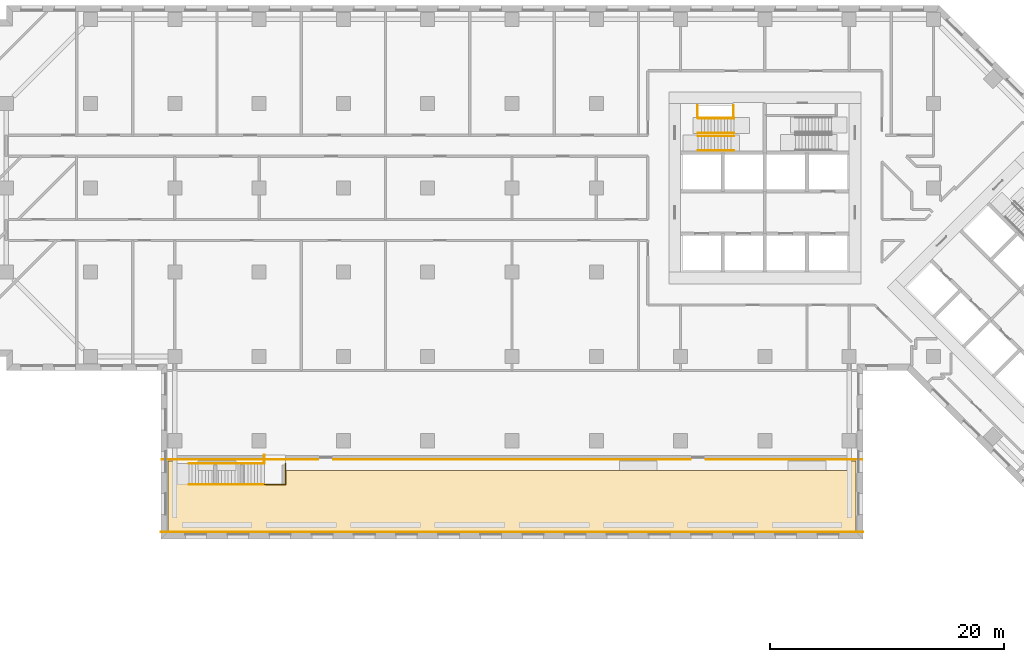
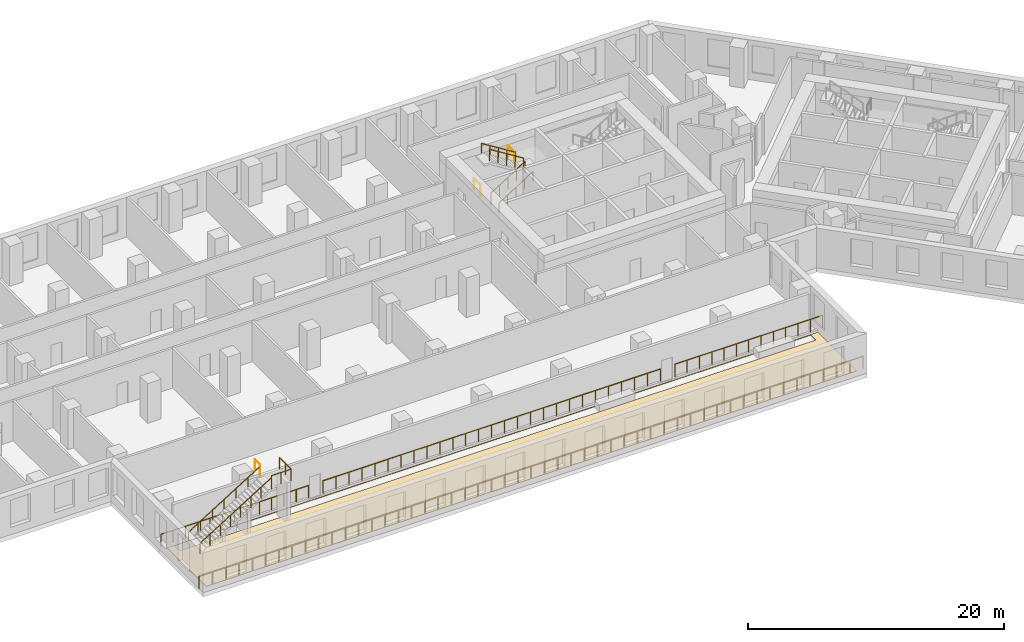
# One storey, part 11 of 13: 14 railings, 1 covering.
"""IFC4 building model written with IfcOpenShell, lengths in metres."""

from ifc_helpers import new_model, si_unit, direction, frame, origin, origin_2d, place, context, subcontext, project, spatial, polyline, circle, outline, extrude, material, layer, layer_set, type_object, element, save


model = new_model("IFC4")

# Units and contexts
model_context = context("Model", 3, precision=1e-05, world=origin(), true_north=direction((0.0, 1.0)))
body_context = subcontext(model_context, "Body", "Model", "MODEL_VIEW")
ifc_project = project(units=[si_unit("LENGTHUNIT", "METRE"), si_unit("AREAUNIT", "SQUARE_METRE"), si_unit("VOLUMEUNIT", "CUBIC_METRE"), si_unit("PLANEANGLEUNIT", "RADIAN"), si_unit("MASSUNIT", "GRAM", prefix="KILO")], contexts=[model_context])

# Site, building, storey
site_placement = place(None, origin())
site = spatial("IfcSite", under=ifc_project, at=site_placement, CompositionType="ELEMENT")
building_placement = place(site_placement, origin())
building = spatial("IfcBuilding", under=site, at=building_placement, Name="Windrow Commons", CompositionType="ELEMENT")
storey_placement = place(building_placement, frame((0.0, 0.0, 14.4)))
storey = spatial("IfcBuildingStorey", under=building, at=storey_placement, Name="L03", CompositionType="ELEMENT", Elevation=14.4)

# Railings
ifc_material_1 = material(Name="Steel S355", Category="steel")
railing_type_1 = type_object("IfcRailingType", Name="Core stair guard 1100", PredefinedType="GUARDRAIL", material=ifc_material_1)
railing_1_placement = place(storey_placement, frame((59.1, 62.05, 0.175)))
element("IfcRailing", 1, at=railing_1_placement, inside=storey, type_object=railing_type_1, Name="L03 ST-A1 stair guard 1", PredefinedType="GUARDRAIL", context=body_context, shape_type="SweptSolid", body=[
    extrude(circle(Radius=0.024, at=origin_2d()), frame((0.0, 0.0, 1.076), z_axis=(0.847998304, 0.0, 0.52999894), x_axis=(0.0, 1.0, 0.0)), (0.0, 0.0, 1.0), 3.6321),
    extrude(circle(Radius=0.021, at=origin_2d()), origin(), (0.0, 0.0, 1.0), 1.052),
    extrude(circle(Radius=0.021, at=origin_2d()), frame((0.77, 0.0, 0.4813)), (0.0, 0.0, 1.0), 1.052),
    extrude(circle(Radius=0.021, at=origin_2d()), frame((1.54, 0.0, 0.9625)), (0.0, 0.0, 1.0), 1.052),
    extrude(circle(Radius=0.021, at=origin_2d()), frame((2.31, 0.0, 1.4438)), (0.0, 0.0, 1.0), 1.052),
    extrude(circle(Radius=0.021, at=origin_2d()), frame((3.08, 0.0, 1.925)), (0.0, 0.0, 1.0), 1.052),
])
railing_2_placement = place(storey_placement, frame((62.18, 62.3, 2.275)))
element("IfcRailing", 2, at=railing_2_placement, inside=storey, type_object=railing_type_1, Name="L03 ST-A1 stair guard 2", PredefinedType="GUARDRAIL", context=body_context, shape_type="SweptSolid", body=[
    extrude(circle(Radius=0.024, at=origin_2d()), frame((0.0, 0.0, 1.076), z_axis=(-0.847998304, 0.0, 0.52999894), x_axis=(0.0, -1.0, 0.0)), (0.0, 0.0, 1.0), 3.6321),
    extrude(circle(Radius=0.021, at=origin_2d()), origin(), (0.0, 0.0, 1.0), 1.052),
    extrude(circle(Radius=0.021, at=origin_2d()), frame((-0.77, 0.0, 0.4813)), (0.0, 0.0, 1.0), 1.052),
    extrude(circle(Radius=0.021, at=origin_2d()), frame((-1.54, 0.0, 0.9625)), (0.0, 0.0, 1.0), 1.052),
    extrude(circle(Radius=0.021, at=origin_2d()), frame((-2.31, 0.0, 1.4438)), (0.0, 0.0, 1.0), 1.052),
    extrude(circle(Radius=0.021, at=origin_2d()), frame((-3.08, 0.0, 1.925)), (0.0, 0.0, 1.0), 1.052),
])
for number, where, name in (
    (3, (59.05, 63.6, 0.0), "L03 ST-A1 stair guard 3"),
    (4, (62.11, 63.6, 2.1), "L03 ST-A1 stair guard 4"),
):
    element("IfcRailing", number, at=place(storey_placement, frame(where)), inside=storey, type_object=railing_type_1, Name=name, PredefinedType="GUARDRAIL", context=body_context, shape_type="SweptSolid", body=[
        extrude(circle(Radius=0.024, at=origin_2d()), frame((0.0, 0.0, 1.076), z_axis=(0.0, 1.0, 0.0), x_axis=(-1.0, 0.0, 0.0)), (0.0, 0.0, 1.0), 1.03),
        extrude(circle(Radius=0.021, at=origin_2d()), origin(), (0.0, 0.0, 1.0), 1.052),
        extrude(circle(Radius=0.021, at=origin_2d()), frame((0.0, 1.03, 0.0)), (0.0, 0.0, 1.0), 1.052),
    ])
ifc_material_2 = material(Name="Steel S355", Category="steel")
railing_type_2 = type_object("IfcRailingType", Name="Core stair handrail 900", PredefinedType="HANDRAIL", material=ifc_material_2)
railing_3_placement = place(storey_placement, frame((59.1, 60.8, 0.175)))
element("IfcRailing", 5, at=railing_3_placement, inside=storey, type_object=railing_type_2, Name="L03 ST-A1 stair handrail 1", PredefinedType="HANDRAIL", context=body_context, shape_type="SweptSolid", body=[
    extrude(circle(Radius=0.024, at=origin_2d()), frame((0.0, 0.0, 0.876), z_axis=(0.847998304, 0.0, 0.52999894), x_axis=(0.0, 1.0, 0.0)), (0.0, 0.0, 1.0), 3.6321),
    extrude(circle(Radius=0.021, at=origin_2d()), origin(), (0.0, 0.0, 1.0), 0.852),
    extrude(circle(Radius=0.021, at=origin_2d()), frame((0.77, 0.0, 0.4813)), (0.0, 0.0, 1.0), 0.852),
    extrude(circle(Radius=0.021, at=origin_2d()), frame((1.54, 0.0, 0.9625)), (0.0, 0.0, 1.0), 0.852),
    extrude(circle(Radius=0.021, at=origin_2d()), frame((2.31, 0.0, 1.4438)), (0.0, 0.0, 1.0), 0.852),
    extrude(circle(Radius=0.021, at=origin_2d()), frame((3.08, 0.0, 1.925)), (0.0, 0.0, 1.0), 0.852),
])
railing_4_placement = place(storey_placement, frame((62.18, 63.55, 2.275)))
element("IfcRailing", 6, at=railing_4_placement, inside=storey, type_object=railing_type_2, Name="L03 ST-A1 stair handrail 2", PredefinedType="HANDRAIL", context=body_context, shape_type="SweptSolid", body=[
    extrude(circle(Radius=0.024, at=origin_2d()), frame((0.0, 0.0, 0.876), z_axis=(-0.847998304, 0.0, 0.52999894), x_axis=(0.0, -1.0, 0.0)), (0.0, 0.0, 1.0), 3.6321),
    extrude(circle(Radius=0.021, at=origin_2d()), origin(), (0.0, 0.0, 1.0), 0.852),
    extrude(circle(Radius=0.021, at=origin_2d()), frame((-0.77, 0.0, 0.4813)), (0.0, 0.0, 1.0), 0.852),
    extrude(circle(Radius=0.021, at=origin_2d()), frame((-1.54, 0.0, 0.9625)), (0.0, 0.0, 1.0), 0.852),
    extrude(circle(Radius=0.021, at=origin_2d()), frame((-2.31, 0.0, 1.4438)), (0.0, 0.0, 1.0), 0.852),
    extrude(circle(Radius=0.021, at=origin_2d()), frame((-3.08, 0.0, 1.925)), (0.0, 0.0, 1.0), 0.852),
])
ifc_material_3 = material(Name="Stainless steel S316 balustrade with toughened glass infill", Category="steel")
railing_type_3 = type_object("IfcRailingType", Name="Terrace guard 1100", PredefinedType="BALUSTRADE", material=ifc_material_3)
railing_5_placement = place(storey_placement, frame((15.6, 32.25, 0.0)))
element("IfcRailing", 7, at=railing_5_placement, inside=storey, type_object=railing_type_3, Name="Public stair guard L03.1", PredefinedType="BALUSTRADE", context=body_context, shape_type="SweptSolid", body=[
    extrude(circle(Radius=0.025, at=origin_2d()), frame((0.0, 0.0, 1.075), z_axis=(0.847998304, 0.0, 0.52999894), x_axis=(0.0, 1.0, 0.0)), (0.0, 0.0, 1.0), 7.5944),
    extrude(circle(Radius=0.02, at=origin_2d()), origin(), (0.0, 0.0, 1.0), 1.05),
    extrude(circle(Radius=0.02, at=origin_2d()), frame((0.92, 0.0, 0.575)), (0.0, 0.0, 1.0), 1.05),
    extrude(circle(Radius=0.02, at=origin_2d()), frame((1.84, 0.0, 1.15)), (0.0, 0.0, 1.0), 1.05),
    extrude(circle(Radius=0.02, at=origin_2d()), frame((2.76, 0.0, 1.725)), (0.0, 0.0, 1.0), 1.05),
    extrude(circle(Radius=0.02, at=origin_2d()), frame((3.68, 0.0, 2.3)), (0.0, 0.0, 1.0), 1.05),
    extrude(circle(Radius=0.02, at=origin_2d()), frame((4.6, 0.0, 2.875)), (0.0, 0.0, 1.0), 1.05),
    extrude(circle(Radius=0.02, at=origin_2d()), frame((5.52, 0.0, 3.45)), (0.0, 0.0, 1.0), 1.05),
    extrude(circle(Radius=0.02, at=origin_2d()), frame((6.44, 0.0, 4.025)), (0.0, 0.0, 1.0), 1.05),
])
railing_6_placement = place(storey_placement, frame((22.04, 32.25, 4.2)))
element("IfcRailing", 8, at=railing_6_placement, inside=storey, type_object=railing_type_3, Name="Public stair guard L03.2", PredefinedType="BALUSTRADE", context=body_context, shape_type="SweptSolid", body=[
    extrude(circle(Radius=0.025, at=origin_2d()), frame((0.0, 0.0, 1.075), z_axis=(1.0, 0.0, 0.0), x_axis=(0.0, 1.0, 0.0)), (0.0, 0.0, 1.0), 1.8),
    extrude(circle(Radius=0.025, at=origin_2d()), frame((1.8, 0.0, 1.075), z_axis=(0.0, 1.0, 0.0), x_axis=(-1.0, 0.0, 0.0)), (0.0, 0.0, 1.0), 1.8),
    extrude(circle(Radius=0.02, at=origin_2d()), origin(), (0.0, 0.0, 1.0), 1.05),
    extrude(circle(Radius=0.02, at=origin_2d()), frame((0.9, 0.0, 0.0)), (0.0, 0.0, 1.0), 1.05),
    extrude(circle(Radius=0.02, at=origin_2d()), frame((1.8, 0.0, 0.0)), (0.0, 0.0, 1.0), 1.05),
    extrude(circle(Radius=0.02, at=origin_2d()), frame((1.8, 0.9, 0.0)), (0.0, 0.0, 1.0), 1.05),
    extrude(circle(Radius=0.02, at=origin_2d()), frame((1.8, 1.8, 0.0)), (0.0, 0.0, 1.0), 1.05),
])
railing_7_placement = place(storey_placement, frame((22.04, 34.05, 4.2)))
element("IfcRailing", 9, at=railing_7_placement, inside=storey, type_object=railing_type_3, Name="Public stair guard L03.3", PredefinedType="BALUSTRADE", context=body_context, shape_type="SweptSolid", body=[
    extrude(circle(Radius=0.025, at=origin_2d()), frame((0.0, 0.0, 1.075), z_axis=(0.0, 1.0, 0.0), x_axis=(-1.0, 0.0, 0.0)), (0.0, 0.0, 1.0), 0.75),
    extrude(circle(Radius=0.02, at=origin_2d()), origin(), (0.0, 0.0, 1.0), 1.05),
    extrude(circle(Radius=0.02, at=origin_2d()), frame((0.0, 0.75, 0.0)), (0.0, 0.0, 1.0), 1.05),
])
ifc_material_4 = material(Name="Stainless steel S316 balustrade with toughened glass infill", Category="steel")
railing_type_4 = type_object("IfcRailingType", Name="Terrace guard 1200 podium", PredefinedType="BALUSTRADE", material=ifc_material_4)
railing_8_placement = place(storey_placement, frame((13.2, 28.22, 0.05)))
element("IfcRailing", 10, at=railing_8_placement, inside=storey, type_object=railing_type_4, Name="Guard TR-L03-1.S4", PredefinedType="BALUSTRADE", context=body_context, shape_type="SweptSolid", body=[
    extrude(circle(Radius=0.025, at=origin_2d()), frame((0.0, 0.0, 1.175), z_axis=(1.0, 0.0, 0.0), x_axis=(0.0, 1.0, 0.0)), (0.0, 0.0, 1.0), 60.0),
    extrude(circle(Radius=0.02, at=origin_2d()), origin(), (0.0, 0.0, 1.0), 1.15),
    extrude(circle(Radius=0.02, at=origin_2d()), frame((1.2, 0.0, 0.0)), (0.0, 0.0, 1.0), 1.15),
    extrude(circle(Radius=0.02, at=origin_2d()), frame((2.4, 0.0, 0.0)), (0.0, 0.0, 1.0), 1.15),
    extrude(circle(Radius=0.02, at=origin_2d()), frame((3.6, 0.0, 0.0)), (0.0, 0.0, 1.0), 1.15),
    extrude(circle(Radius=0.02, at=origin_2d()), frame((4.8, 0.0, 0.0)), (0.0, 0.0, 1.0), 1.15),
    extrude(circle(Radius=0.02, at=origin_2d()), frame((6.0, 0.0, 0.0)), (0.0, 0.0, 1.0), 1.15),
    extrude(circle(Radius=0.02, at=origin_2d()), frame((7.2, 0.0, 0.0)), (0.0, 0.0, 1.0), 1.15),
    extrude(circle(Radius=0.02, at=origin_2d()), frame((8.4, 0.0, 0.0)), (0.0, 0.0, 1.0), 1.15),
    extrude(circle(Radius=0.02, at=origin_2d()), frame((9.6, 0.0, 0.0)), (0.0, 0.0, 1.0), 1.15),
    extrude(circle(Radius=0.02, at=origin_2d()), frame((10.8, 0.0, 0.0)), (0.0, 0.0, 1.0), 1.15),
    extrude(circle(Radius=0.02, at=origin_2d()), frame((12.0, 0.0, 0.0)), (0.0, 0.0, 1.0), 1.15),
    extrude(circle(Radius=0.02, at=origin_2d()), frame((13.2, 0.0, 0.0)), (0.0, 0.0, 1.0), 1.15),
    extrude(circle(Radius=0.02, at=origin_2d()), frame((14.4, 0.0, 0.0)), (0.0, 0.0, 1.0), 1.15),
    extrude(circle(Radius=0.02, at=origin_2d()), frame((15.6, 0.0, 0.0)), (0.0, 0.0, 1.0), 1.15),
    extrude(circle(Radius=0.02, at=origin_2d()), frame((16.8, 0.0, 0.0)), (0.0, 0.0, 1.0), 1.15),
    extrude(circle(Radius=0.02, at=origin_2d()), frame((18.0, 0.0, 0.0)), (0.0, 0.0, 1.0), 1.15),
    extrude(circle(Radius=0.02, at=origin_2d()), frame((19.2, 0.0, 0.0)), (0.0, 0.0, 1.0), 1.15),
    extrude(circle(Radius=0.02, at=origin_2d()), frame((20.4, 0.0, 0.0)), (0.0, 0.0, 1.0), 1.15),
    extrude(circle(Radius=0.02, at=origin_2d()), frame((21.6, 0.0, 0.0)), (0.0, 0.0, 1.0), 1.15),
    extrude(circle(Radius=0.02, at=origin_2d()), frame((22.8, 0.0, 0.0)), (0.0, 0.0, 1.0), 1.15),
    extrude(circle(Radius=0.02, at=origin_2d()), frame((24.0, 0.0, 0.0)), (0.0, 0.0, 1.0), 1.15),
    extrude(circle(Radius=0.02, at=origin_2d()), frame((25.2, 0.0, 0.0)), (0.0, 0.0, 1.0), 1.15),
    extrude(circle(Radius=0.02, at=origin_2d()), frame((26.4, 0.0, 0.0)), (0.0, 0.0, 1.0), 1.15),
    extrude(circle(Radius=0.02, at=origin_2d()), frame((27.6, 0.0, 0.0)), (0.0, 0.0, 1.0), 1.15),
    extrude(circle(Radius=0.02, at=origin_2d()), frame((28.8, 0.0, 0.0)), (0.0, 0.0, 1.0), 1.15),
    extrude(circle(Radius=0.02, at=origin_2d()), frame((30.0, 0.0, 0.0)), (0.0, 0.0, 1.0), 1.15),
    extrude(circle(Radius=0.02, at=origin_2d()), frame((31.2, 0.0, 0.0)), (0.0, 0.0, 1.0), 1.15),
    extrude(circle(Radius=0.02, at=origin_2d()), frame((32.4, 0.0, 0.0)), (0.0, 0.0, 1.0), 1.15),
    extrude(circle(Radius=0.02, at=origin_2d()), frame((33.6, 0.0, 0.0)), (0.0, 0.0, 1.0), 1.15),
    extrude(circle(Radius=0.02, at=origin_2d()), frame((34.8, 0.0, 0.0)), (0.0, 0.0, 1.0), 1.15),
    extrude(circle(Radius=0.02, at=origin_2d()), frame((36.0, 0.0, 0.0)), (0.0, 0.0, 1.0), 1.15),
    extrude(circle(Radius=0.02, at=origin_2d()), frame((37.2, 0.0, 0.0)), (0.0, 0.0, 1.0), 1.15),
    extrude(circle(Radius=0.02, at=origin_2d()), frame((38.4, 0.0, 0.0)), (0.0, 0.0, 1.0), 1.15),
    extrude(circle(Radius=0.02, at=origin_2d()), frame((39.6, 0.0, 0.0)), (0.0, 0.0, 1.0), 1.15),
    extrude(circle(Radius=0.02, at=origin_2d()), frame((40.8, 0.0, 0.0)), (0.0, 0.0, 1.0), 1.15),
    extrude(circle(Radius=0.02, at=origin_2d()), frame((42.0, 0.0, 0.0)), (0.0, 0.0, 1.0), 1.15),
    extrude(circle(Radius=0.02, at=origin_2d()), frame((43.2, 0.0, 0.0)), (0.0, 0.0, 1.0), 1.15),
    extrude(circle(Radius=0.02, at=origin_2d()), frame((44.4, 0.0, 0.0)), (0.0, 0.0, 1.0), 1.15),
    extrude(circle(Radius=0.02, at=origin_2d()), frame((45.6, 0.0, 0.0)), (0.0, 0.0, 1.0), 1.15),
    extrude(circle(Radius=0.02, at=origin_2d()), frame((46.8, 0.0, 0.0)), (0.0, 0.0, 1.0), 1.15),
    extrude(circle(Radius=0.02, at=origin_2d()), frame((48.0, 0.0, 0.0)), (0.0, 0.0, 1.0), 1.15),
    extrude(circle(Radius=0.02, at=origin_2d()), frame((49.2, 0.0, 0.0)), (0.0, 0.0, 1.0), 1.15),
    extrude(circle(Radius=0.02, at=origin_2d()), frame((50.4, 0.0, 0.0)), (0.0, 0.0, 1.0), 1.15),
    extrude(circle(Radius=0.02, at=origin_2d()), frame((51.6, 0.0, 0.0)), (0.0, 0.0, 1.0), 1.15),
    extrude(circle(Radius=0.02, at=origin_2d()), frame((52.8, 0.0, 0.0)), (0.0, 0.0, 1.0), 1.15),
    extrude(circle(Radius=0.02, at=origin_2d()), frame((54.0, 0.0, 0.0)), (0.0, 0.0, 1.0), 1.15),
    extrude(circle(Radius=0.02, at=origin_2d()), frame((55.2, 0.0, 0.0)), (0.0, 0.0, 1.0), 1.15),
    extrude(circle(Radius=0.02, at=origin_2d()), frame((56.4, 0.0, 0.0)), (0.0, 0.0, 1.0), 1.15),
    extrude(circle(Radius=0.02, at=origin_2d()), frame((57.6, 0.0, 0.0)), (0.0, 0.0, 1.0), 1.15),
    extrude(circle(Radius=0.02, at=origin_2d()), frame((58.8, 0.0, 0.0)), (0.0, 0.0, 1.0), 1.15),
    extrude(circle(Radius=0.02, at=origin_2d()), frame((60.0, 0.0, 0.0)), (0.0, 0.0, 1.0), 1.15),
])
railing_9_placement = place(storey_placement, frame((73.1, 34.4, 0.25)))
element("IfcRailing", 11, at=railing_9_placement, inside=storey, type_object=railing_type_4, Name="Guard TR-L03-1.1", PredefinedType="BALUSTRADE", context=body_context, shape_type="SweptSolid", body=[
    extrude(circle(Radius=0.025, at=origin_2d()), frame((0.0, 0.0, 1.175), z_axis=(-1.0, 0.0, 0.0), x_axis=(0.0, -1.0, 0.0)), (0.0, 0.0, 1.0), 13.35),
    extrude(circle(Radius=0.02, at=origin_2d()), origin(), (0.0, 0.0, 1.0), 1.15),
    extrude(circle(Radius=0.02, at=origin_2d()), frame((-1.1125, 0.0, 0.0)), (0.0, 0.0, 1.0), 1.15),
    extrude(circle(Radius=0.02, at=origin_2d()), frame((-2.225, 0.0, 0.0)), (0.0, 0.0, 1.0), 1.15),
    extrude(circle(Radius=0.02, at=origin_2d()), frame((-3.3375, 0.0, 0.0)), (0.0, 0.0, 1.0), 1.15),
    extrude(circle(Radius=0.02, at=origin_2d()), frame((-4.45, 0.0, 0.0)), (0.0, 0.0, 1.0), 1.15),
    extrude(circle(Radius=0.02, at=origin_2d()), frame((-5.5625, 0.0, 0.0)), (0.0, 0.0, 1.0), 1.15),
    extrude(circle(Radius=0.02, at=origin_2d()), frame((-6.675, 0.0, 0.0)), (0.0, 0.0, 1.0), 1.15),
    extrude(circle(Radius=0.02, at=origin_2d()), frame((-7.7875, 0.0, 0.0)), (0.0, 0.0, 1.0), 1.15),
    extrude(circle(Radius=0.02, at=origin_2d()), frame((-8.9, 0.0, 0.0)), (0.0, 0.0, 1.0), 1.15),
    extrude(circle(Radius=0.02, at=origin_2d()), frame((-10.0125, 0.0, 0.0)), (0.0, 0.0, 1.0), 1.15),
    extrude(circle(Radius=0.02, at=origin_2d()), frame((-11.125, 0.0, 0.0)), (0.0, 0.0, 1.0), 1.15),
    extrude(circle(Radius=0.02, at=origin_2d()), frame((-12.2375, 0.0, 0.0)), (0.0, 0.0, 1.0), 1.15),
    extrude(circle(Radius=0.02, at=origin_2d()), frame((-13.35, 0.0, 0.0)), (0.0, 0.0, 1.0), 1.15),
])
railing_10_placement = place(storey_placement, frame((58.45, 34.4, 0.25)))
element("IfcRailing", 12, at=railing_10_placement, inside=storey, type_object=railing_type_4, Name="Guard TR-L03-1.1", PredefinedType="BALUSTRADE", context=body_context, shape_type="SweptSolid", body=[
    extrude(circle(Radius=0.025, at=origin_2d()), frame((0.0, 0.0, 1.175), z_axis=(-1.0, 0.0, 0.0), x_axis=(0.0, -1.0, 0.0)), (0.0, 0.0, 1.0), 30.5),
    extrude(circle(Radius=0.02, at=origin_2d()), origin(), (0.0, 0.0, 1.0), 1.15),
    extrude(circle(Radius=0.02, at=origin_2d()), frame((-1.1731, 0.0, 0.0)), (0.0, 0.0, 1.0), 1.15),
    extrude(circle(Radius=0.02, at=origin_2d()), frame((-2.3462, 0.0, 0.0)), (0.0, 0.0, 1.0), 1.15),
    extrude(circle(Radius=0.02, at=origin_2d()), frame((-3.5192, 0.0, 0.0)), (0.0, 0.0, 1.0), 1.15),
    extrude(circle(Radius=0.02, at=origin_2d()), frame((-4.6923, 0.0, 0.0)), (0.0, 0.0, 1.0), 1.15),
    extrude(circle(Radius=0.02, at=origin_2d()), frame((-5.8654, 0.0, 0.0)), (0.0, 0.0, 1.0), 1.15),
    extrude(circle(Radius=0.02, at=origin_2d()), frame((-7.0385, 0.0, 0.0)), (0.0, 0.0, 1.0), 1.15),
    extrude(circle(Radius=0.02, at=origin_2d()), frame((-8.2115, 0.0, 0.0)), (0.0, 0.0, 1.0), 1.15),
    extrude(circle(Radius=0.02, at=origin_2d()), frame((-9.3846, 0.0, 0.0)), (0.0, 0.0, 1.0), 1.15),
    extrude(circle(Radius=0.02, at=origin_2d()), frame((-10.5577, 0.0, 0.0)), (0.0, 0.0, 1.0), 1.15),
    extrude(circle(Radius=0.02, at=origin_2d()), frame((-11.7308, 0.0, 0.0)), (0.0, 0.0, 1.0), 1.15),
    extrude(circle(Radius=0.02, at=origin_2d()), frame((-12.9038, 0.0, 0.0)), (0.0, 0.0, 1.0), 1.15),
    extrude(circle(Radius=0.02, at=origin_2d()), frame((-14.0769, 0.0, 0.0)), (0.0, 0.0, 1.0), 1.15),
    extrude(circle(Radius=0.02, at=origin_2d()), frame((-15.25, 0.0, 0.0)), (0.0, 0.0, 1.0), 1.15),
    extrude(circle(Radius=0.02, at=origin_2d()), frame((-16.4231, 0.0, 0.0)), (0.0, 0.0, 1.0), 1.15),
    extrude(circle(Radius=0.02, at=origin_2d()), frame((-17.5962, 0.0, 0.0)), (0.0, 0.0, 1.0), 1.15),
    extrude(circle(Radius=0.02, at=origin_2d()), frame((-18.7692, 0.0, 0.0)), (0.0, 0.0, 1.0), 1.15),
    extrude(circle(Radius=0.02, at=origin_2d()), frame((-19.9423, 0.0, 0.0)), (0.0, 0.0, 1.0), 1.15),
    extrude(circle(Radius=0.02, at=origin_2d()), frame((-21.1154, 0.0, 0.0)), (0.0, 0.0, 1.0), 1.15),
    extrude(circle(Radius=0.02, at=origin_2d()), frame((-22.2885, 0.0, 0.0)), (0.0, 0.0, 1.0), 1.15),
    extrude(circle(Radius=0.02, at=origin_2d()), frame((-23.4615, 0.0, 0.0)), (0.0, 0.0, 1.0), 1.15),
    extrude(circle(Radius=0.02, at=origin_2d()), frame((-24.6346, 0.0, 0.0)), (0.0, 0.0, 1.0), 1.15),
    extrude(circle(Radius=0.02, at=origin_2d()), frame((-25.8077, 0.0, 0.0)), (0.0, 0.0, 1.0), 1.15),
    extrude(circle(Radius=0.02, at=origin_2d()), frame((-26.9808, 0.0, 0.0)), (0.0, 0.0, 1.0), 1.15),
    extrude(circle(Radius=0.02, at=origin_2d()), frame((-28.1538, 0.0, 0.0)), (0.0, 0.0, 1.0), 1.15),
    extrude(circle(Radius=0.02, at=origin_2d()), frame((-29.3269, 0.0, 0.0)), (0.0, 0.0, 1.0), 1.15),
    extrude(circle(Radius=0.02, at=origin_2d()), frame((-30.5, 0.0, 0.0)), (0.0, 0.0, 1.0), 1.15),
])
railing_11_placement = place(storey_placement, frame((26.65, 34.4, 0.25)))
element("IfcRailing", 13, at=railing_11_placement, inside=storey, type_object=railing_type_4, Name="Guard TR-L03-1.1", PredefinedType="BALUSTRADE", context=body_context, shape_type="SweptSolid", body=[
    extrude(circle(Radius=0.025, at=origin_2d()), frame((0.0, 0.0, 1.175), z_axis=(-1.0, 0.0, 0.0), x_axis=(0.0, -1.0, 0.0)), (0.0, 0.0, 1.0), 13.35),
    extrude(circle(Radius=0.02, at=origin_2d()), origin(), (0.0, 0.0, 1.0), 1.15),
    extrude(circle(Radius=0.02, at=origin_2d()), frame((-1.1125, 0.0, 0.0)), (0.0, 0.0, 1.0), 1.15),
    extrude(circle(Radius=0.02, at=origin_2d()), frame((-2.225, 0.0, 0.0)), (0.0, 0.0, 1.0), 1.15),
    extrude(circle(Radius=0.02, at=origin_2d()), frame((-3.3375, 0.0, 0.0)), (0.0, 0.0, 1.0), 1.15),
    extrude(circle(Radius=0.02, at=origin_2d()), frame((-4.45, 0.0, 0.0)), (0.0, 0.0, 1.0), 1.15),
    extrude(circle(Radius=0.02, at=origin_2d()), frame((-5.5625, 0.0, 0.0)), (0.0, 0.0, 1.0), 1.15),
    extrude(circle(Radius=0.02, at=origin_2d()), frame((-6.675, 0.0, 0.0)), (0.0, 0.0, 1.0), 1.15),
    extrude(circle(Radius=0.02, at=origin_2d()), frame((-7.7875, 0.0, 0.0)), (0.0, 0.0, 1.0), 1.15),
    extrude(circle(Radius=0.02, at=origin_2d()), frame((-8.9, 0.0, 0.0)), (0.0, 0.0, 1.0), 1.15),
    extrude(circle(Radius=0.02, at=origin_2d()), frame((-10.0125, 0.0, 0.0)), (0.0, 0.0, 1.0), 1.15),
    extrude(circle(Radius=0.02, at=origin_2d()), frame((-11.125, 0.0, 0.0)), (0.0, 0.0, 1.0), 1.15),
    extrude(circle(Radius=0.02, at=origin_2d()), frame((-12.2375, 0.0, 0.0)), (0.0, 0.0, 1.0), 1.15),
    extrude(circle(Radius=0.02, at=origin_2d()), frame((-13.35, 0.0, 0.0)), (0.0, 0.0, 1.0), 1.15),
])

# Covering
ifc_material_5 = material(Name="Granite pavers on waterproofing membrane", Category="masonry")
ifc_layer = layer(ifc_material_5, 0.05)
ifc_layer_set = layer_set([ifc_layer], Name="Terrace roofing 50")
covering_type = type_object("IfcCoveringType", Name="Terrace roofing 50", PredefinedType="ROOFING", material=ifc_layer_set)
covering_placement = place(storey_placement, origin())
element("IfcCovering", 14, at=covering_placement, inside=storey, type_object=covering_type, Name="Terrace roofing TR-L03-1", PredefinedType="ROOFING", context=body_context, shape_type="SweptSolid", body=[
    extrude(outline(polyline([(72.6, 34.29), (72.6, 28.2), (13.8, 28.2), (13.8, 34.29), (72.6, 34.29)]), holes=[polyline([(14.45, 34.26), (14.45, 33.44), (71.95, 33.44), (71.95, 34.26), (14.45, 34.26)])]), origin(), (0.0, 0.0, 1.0), 0.05),
])

# Railing
ifc_material_6 = material(Name="Stainless steel S316 handrail", Category="steel")
railing_type_5 = type_object("IfcRailingType", Name="Terrace stair handrail 900", PredefinedType="HANDRAIL", material=ifc_material_6)
railing_12_placement = place(storey_placement, frame((15.6, 34.05, 0.175)))
element("IfcRailing", 15, at=railing_12_placement, inside=storey, type_object=railing_type_5, Name="Public stair handrail L03.1", PredefinedType="HANDRAIL", context=body_context, shape_type="SweptSolid", body=[
    extrude(circle(Radius=0.025, at=origin_2d()), frame((0.0, 0.0, 0.875), z_axis=(0.847998304, 0.0, 0.52999894), x_axis=(0.0, 1.0, 0.0)), (0.0, 0.0, 1.0), 7.5944),
    extrude(circle(Radius=0.02, at=origin_2d()), origin(), (0.0, 0.0, 1.0), 0.85),
    extrude(circle(Radius=0.02, at=origin_2d()), frame((1.0733, 0.0, 0.6708)), (0.0, 0.0, 1.0), 0.85),
    extrude(circle(Radius=0.02, at=origin_2d()), frame((2.1467, 0.0, 1.3417)), (0.0, 0.0, 1.0), 0.85),
    extrude(circle(Radius=0.02, at=origin_2d()), frame((3.22, 0.0, 2.0125)), (0.0, 0.0, 1.0), 0.85),
    extrude(circle(Radius=0.02, at=origin_2d()), frame((4.2933, 0.0, 2.6833)), (0.0, 0.0, 1.0), 0.85),
    extrude(circle(Radius=0.02, at=origin_2d()), frame((5.3667, 0.0, 3.3542)), (0.0, 0.0, 1.0), 0.85),
    extrude(circle(Radius=0.02, at=origin_2d()), frame((6.44, 0.0, 4.025)), (0.0, 0.0, 1.0), 0.85),
])

save(model, "model.ifc")
